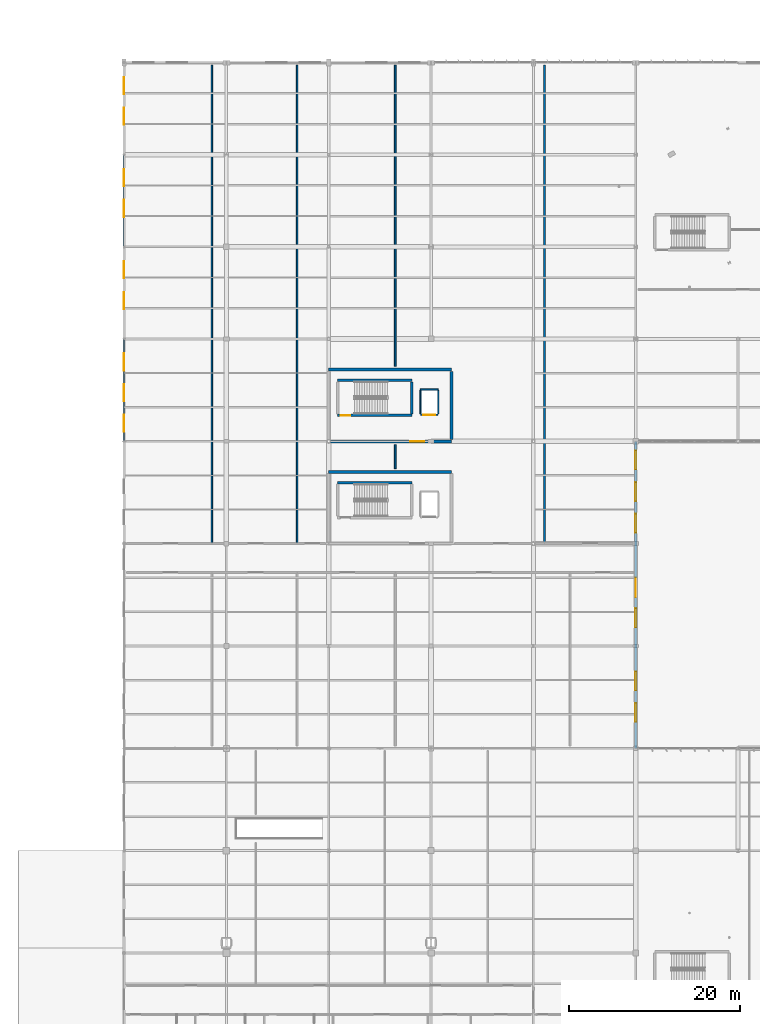
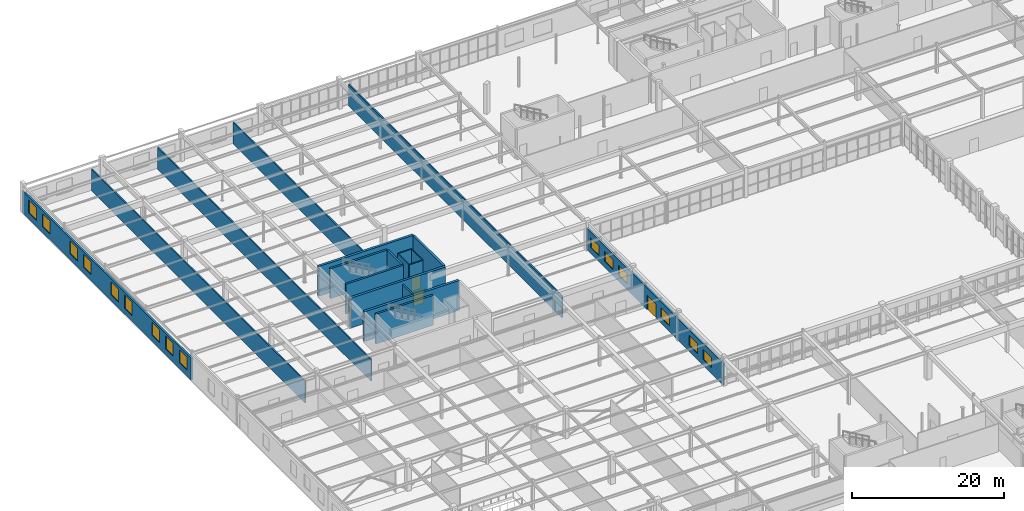
# One storey, part 164 of 199: 19 walls, 15 windows, 4 doors, 19 openings.
"""IFC4 building model written with IfcOpenShell, lengths in metres."""

from ifc_helpers import new_model, si_unit, direction, frame, frame_2d, origin, place, context, subcontext, project, spatial, rectangle, extrude, material, layer, layer_set, type_object, element, fill, save


model = new_model("IFC4")

# Units and contexts
model_context = context("Model", 3, precision=1e-05, world=origin(), true_north=direction((0.0, 1.0)))
body_context = subcontext(model_context, "Body", "Model", "MODEL_VIEW")
ifc_project = project(units=[si_unit("LENGTHUNIT", "METRE"), si_unit("AREAUNIT", "SQUARE_METRE"), si_unit("VOLUMEUNIT", "CUBIC_METRE"), si_unit("PLANEANGLEUNIT", "RADIAN"), si_unit("MASSUNIT", "GRAM", prefix="KILO")], contexts=[model_context])

# Site, building, storey
site_placement = place(None, origin())
site = spatial("IfcSite", under=ifc_project, at=site_placement, CompositionType="ELEMENT")
building_placement = place(site_placement, origin())
building = spatial("IfcBuilding", under=site, at=building_placement, Name="Tarnwether General Hospital", CompositionType="ELEMENT")
storey_placement = place(building_placement, origin())
storey = spatial("IfcBuildingStorey", under=building, at=storey_placement, Name="L00", CompositionType="ELEMENT", Elevation=0.0)

# Wall, openings, windows
ifc_material_1 = material(Name="Precast concrete 40 MPa", Category="concrete")
ifc_layer_1 = layer(ifc_material_1, 0.280029296875)
ifc_layer_set_1 = layer_set([ifc_layer_1], Name="Precast concrete 40 MPa")
wall_type_1 = type_object("IfcWallType", Name="WL-EX280", PredefinedType="STANDARD", material=ifc_layer_set_1)
wall_1_placement = place(storey_placement, frame((0.0, 81.60009765625, 0.0), z_axis=(0.0, 0.0, 1.0), x_axis=(0.0, 1.0, 0.0)))
wall_1 = element("IfcWall", 1, at=wall_1_placement, inside=storey, type_object=wall_type_1, Name="L00 West Scarp Overlook Wall EW-L00-0282", PredefinedType="STANDARD", context=body_context, shape_type="SweptSolid", body=[
    extrude(rectangle(XDim=44.39990234375, YDim=0.280029296875, at=frame_2d((22.199951171875, 0.0))), origin(), (0.0, 0.0, 1.0), 3.47998046875),
])
opening_1_placement = place(wall_1_placement, frame((1.10009765625, 0.0, 0.949951171875)))
opening_1 = element("IfcOpeningElement", 2, at=opening_1_placement, cuts=wall_1, Name="Opening W-14", PredefinedType="OPENING", context=body_context, shape_type="SweptSolid", body=[
    extrude(rectangle(XDim=2.0, YDim=2.10009765625, at=frame_2d((1.0, 1.050048828125))), frame((0.0, 0.14990234375, 0.0), z_axis=(0.0, -1.0, 0.0), x_axis=(1.0, 0.0, 0.0)), (0.0, 0.0, 1.0), 0.300048828125),
])
opening_2_placement = place(wall_1_placement, frame((4.699951171875, 0.0, 0.949951171875)))
opening_2 = element("IfcOpeningElement", 3, at=opening_2_placement, cuts=wall_1, Name="Opening W-14", PredefinedType="OPENING", context=body_context, shape_type="SweptSolid", body=[
    extrude(rectangle(XDim=2.0, YDim=2.10009765625, at=frame_2d((1.0, 1.050048828125))), frame((0.0, 0.14990234375, 0.0), z_axis=(0.0, -1.0, 0.0), x_axis=(1.0, 0.0, 0.0)), (0.0, 0.0, 1.0), 0.300048828125),
])
opening_3_placement = place(wall_1_placement, frame((8.300048828125, 0.0, 0.949951171875)))
opening_3 = element("IfcOpeningElement", 4, at=opening_3_placement, cuts=wall_1, Name="Opening W-14", PredefinedType="OPENING", context=body_context, shape_type="SweptSolid", body=[
    extrude(rectangle(XDim=2.0, YDim=2.10009765625, at=frame_2d((1.0, 1.050048828125))), frame((0.0, 0.14990234375, 0.0), z_axis=(0.0, -1.0, 0.0), x_axis=(1.0, 0.0, 0.0)), (0.0, 0.0, 1.0), 0.300048828125),
])
opening_4_placement = place(wall_1_placement, frame((15.5, 0.0, 0.949951171875)))
opening_4 = element("IfcOpeningElement", 5, at=opening_4_placement, cuts=wall_1, Name="Opening W-14", PredefinedType="OPENING", context=body_context, shape_type="SweptSolid", body=[
    extrude(rectangle(XDim=2.0, YDim=2.10009765625, at=frame_2d((1.0, 1.050048828125))), frame((0.0, 0.14990234375, 0.0), z_axis=(0.0, -1.0, 0.0), x_axis=(1.0, 0.0, 0.0)), (0.0, 0.0, 1.0), 0.300048828125),
])
opening_5_placement = place(wall_1_placement, frame((19.10009765625, 0.0, 0.949951171875)))
opening_5 = element("IfcOpeningElement", 6, at=opening_5_placement, cuts=wall_1, Name="Opening W-14", PredefinedType="OPENING", context=body_context, shape_type="SweptSolid", body=[
    extrude(rectangle(XDim=2.0, YDim=2.10009765625, at=frame_2d((1.0, 1.050048828125))), frame((0.0, 0.14990234375, 0.0), z_axis=(0.0, -1.0, 0.0), x_axis=(1.0, 0.0, 0.0)), (0.0, 0.0, 1.0), 0.300048828125),
])
opening_6_placement = place(wall_1_placement, frame((26.300048828125, 0.0, 0.949951171875)))
opening_6 = element("IfcOpeningElement", 7, at=opening_6_placement, cuts=wall_1, Name="Opening W-14", PredefinedType="OPENING", context=body_context, shape_type="SweptSolid", body=[
    extrude(rectangle(XDim=2.0, YDim=2.10009765625, at=frame_2d((1.0, 1.050048828125))), frame((0.0, 0.14990234375, 0.0), z_axis=(0.0, -1.0, 0.0), x_axis=(1.0, 0.0, 0.0)), (0.0, 0.0, 1.0), 0.300048828125),
])
opening_7_placement = place(wall_1_placement, frame((29.89990234375, 0.0, 0.949951171875)))
opening_7 = element("IfcOpeningElement", 8, at=opening_7_placement, cuts=wall_1, Name="Opening W-14", PredefinedType="OPENING", context=body_context, shape_type="SweptSolid", body=[
    extrude(rectangle(XDim=2.0, YDim=2.10009765625, at=frame_2d((1.0, 1.050048828125))), frame((0.0, 0.14990234375, 0.0), z_axis=(0.0, -1.0, 0.0), x_axis=(1.0, 0.0, 0.0)), (0.0, 0.0, 1.0), 0.300048828125),
])
opening_8_placement = place(wall_1_placement, frame((37.10009765625, 0.0, 0.949951171875)))
opening_8 = element("IfcOpeningElement", 9, at=opening_8_placement, cuts=wall_1, Name="Opening W-14", PredefinedType="OPENING", context=body_context, shape_type="SweptSolid", body=[
    extrude(rectangle(XDim=2.0, YDim=2.10009765625, at=frame_2d((1.0, 1.050048828125))), frame((0.0, 0.14990234375, 0.0), z_axis=(0.0, -1.0, 0.0), x_axis=(1.0, 0.0, 0.0)), (0.0, 0.0, 1.0), 0.300048828125),
])
opening_9_placement = place(wall_1_placement, frame((40.699951171875, 0.0, 0.949951171875)))
opening_9 = element("IfcOpeningElement", 10, at=opening_9_placement, cuts=wall_1, Name="Opening W-14", PredefinedType="OPENING", context=body_context, shape_type="SweptSolid", body=[
    extrude(rectangle(XDim=2.0, YDim=2.10009765625, at=frame_2d((1.0, 1.050048828125))), frame((0.0, 0.14990234375, 0.0), z_axis=(0.0, -1.0, 0.0), x_axis=(1.0, 0.0, 0.0)), (0.0, 0.0, 1.0), 0.300048828125),
])
ifc_material_2 = material(Name="Double glazed low-E glass", Category="glass")
window_type_1 = type_object("IfcWindowType", Name="WN-14", PartitioningType="DOUBLE_PANEL_VERTICAL", PredefinedType="WINDOW", material=ifc_material_2)
window_1_placement = place(opening_1_placement, origin())
window_1 = element("IfcWindow", 11, at=window_1_placement, inside=storey, type_object=window_type_1, Name="Window WN-L00-0025", OverallHeight=2.10009765625, OverallWidth=2.0, PartitioningType="DOUBLE_PANEL_VERTICAL", PredefinedType="WINDOW", context=body_context, shape_type="SweptSolid", body=[
    extrude(rectangle(XDim=2.0, YDim=2.10009765625, at=frame_2d((1.0, 1.050048828125))), frame((0.0, 0.030029296875, 0.0), z_axis=(0.0, -1.0, 0.0), x_axis=(1.0, 0.0, 0.0)), (0.0, 0.0, 1.0), 0.06005859375),
])
fill(opening_1, window_1)
window_2_placement = place(opening_2_placement, origin())
window_2 = element("IfcWindow", 12, at=window_2_placement, inside=storey, type_object=window_type_1, Name="Window WN-L00-0026", OverallHeight=2.10009765625, OverallWidth=2.0, PartitioningType="DOUBLE_PANEL_VERTICAL", PredefinedType="WINDOW", context=body_context, shape_type="SweptSolid", body=[
    extrude(rectangle(XDim=2.0, YDim=2.10009765625, at=frame_2d((1.0, 1.050048828125))), frame((0.0, 0.030029296875, 0.0), z_axis=(0.0, -1.0, 0.0), x_axis=(1.0, 0.0, 0.0)), (0.0, 0.0, 1.0), 0.06005859375),
])
fill(opening_2, window_2)
window_3_placement = place(opening_3_placement, origin())
window_3 = element("IfcWindow", 13, at=window_3_placement, inside=storey, type_object=window_type_1, Name="Window WN-L00-0027", OverallHeight=2.10009765625, OverallWidth=2.0, PartitioningType="DOUBLE_PANEL_VERTICAL", PredefinedType="WINDOW", context=body_context, shape_type="SweptSolid", body=[
    extrude(rectangle(XDim=2.0, YDim=2.10009765625, at=frame_2d((1.0, 1.050048828125))), frame((0.0, 0.030029296875, 0.0), z_axis=(0.0, -1.0, 0.0), x_axis=(1.0, 0.0, 0.0)), (0.0, 0.0, 1.0), 0.06005859375),
])
fill(opening_3, window_3)
window_4_placement = place(opening_4_placement, origin())
window_4 = element("IfcWindow", 14, at=window_4_placement, inside=storey, type_object=window_type_1, Name="Window WN-L00-0028", OverallHeight=2.10009765625, OverallWidth=2.0, PartitioningType="DOUBLE_PANEL_VERTICAL", PredefinedType="WINDOW", context=body_context, shape_type="SweptSolid", body=[
    extrude(rectangle(XDim=2.0, YDim=2.10009765625, at=frame_2d((1.0, 1.050048828125))), frame((0.0, 0.030029296875, 0.0), z_axis=(0.0, -1.0, 0.0), x_axis=(1.0, 0.0, 0.0)), (0.0, 0.0, 1.0), 0.06005859375),
])
fill(opening_4, window_4)
window_5_placement = place(opening_5_placement, origin())
window_5 = element("IfcWindow", 15, at=window_5_placement, inside=storey, type_object=window_type_1, Name="Window WN-L00-0029", OverallHeight=2.10009765625, OverallWidth=2.0, PartitioningType="DOUBLE_PANEL_VERTICAL", PredefinedType="WINDOW", context=body_context, shape_type="SweptSolid", body=[
    extrude(rectangle(XDim=2.0, YDim=2.10009765625, at=frame_2d((1.0, 1.050048828125))), frame((0.0, 0.030029296875, 0.0), z_axis=(0.0, -1.0, 0.0), x_axis=(1.0, 0.0, 0.0)), (0.0, 0.0, 1.0), 0.06005859375),
])
fill(opening_5, window_5)
window_6_placement = place(opening_6_placement, origin())
window_6 = element("IfcWindow", 16, at=window_6_placement, inside=storey, type_object=window_type_1, Name="Window WN-L00-0030", OverallHeight=2.10009765625, OverallWidth=2.0, PartitioningType="DOUBLE_PANEL_VERTICAL", PredefinedType="WINDOW", context=body_context, shape_type="SweptSolid", body=[
    extrude(rectangle(XDim=2.0, YDim=2.10009765625, at=frame_2d((1.0, 1.050048828125))), frame((0.0, 0.030029296875, 0.0), z_axis=(0.0, -1.0, 0.0), x_axis=(1.0, 0.0, 0.0)), (0.0, 0.0, 1.0), 0.06005859375),
])
fill(opening_6, window_6)
window_7_placement = place(opening_7_placement, origin())
window_7 = element("IfcWindow", 17, at=window_7_placement, inside=storey, type_object=window_type_1, Name="Window WN-L00-0031", OverallHeight=2.10009765625, OverallWidth=2.0, PartitioningType="DOUBLE_PANEL_VERTICAL", PredefinedType="WINDOW", context=body_context, shape_type="SweptSolid", body=[
    extrude(rectangle(XDim=2.0, YDim=2.10009765625, at=frame_2d((1.0, 1.050048828125))), frame((0.0, 0.030029296875, 0.0), z_axis=(0.0, -1.0, 0.0), x_axis=(1.0, 0.0, 0.0)), (0.0, 0.0, 1.0), 0.06005859375),
])
fill(opening_7, window_7)
window_8_placement = place(opening_8_placement, origin())
window_8 = element("IfcWindow", 18, at=window_8_placement, inside=storey, type_object=window_type_1, Name="Window WN-L00-0032", OverallHeight=2.10009765625, OverallWidth=2.0, PartitioningType="DOUBLE_PANEL_VERTICAL", PredefinedType="WINDOW", context=body_context, shape_type="SweptSolid", body=[
    extrude(rectangle(XDim=2.0, YDim=2.10009765625, at=frame_2d((1.0, 1.050048828125))), frame((0.0, 0.030029296875, 0.0), z_axis=(0.0, -1.0, 0.0), x_axis=(1.0, 0.0, 0.0)), (0.0, 0.0, 1.0), 0.06005859375),
])
fill(opening_8, window_8)
window_9_placement = place(opening_9_placement, origin())
window_9 = element("IfcWindow", 19, at=window_9_placement, inside=storey, type_object=window_type_1, Name="Window WN-L00-0033", OverallHeight=2.10009765625, OverallWidth=2.0, PartitioningType="DOUBLE_PANEL_VERTICAL", PredefinedType="WINDOW", context=body_context, shape_type="SweptSolid", body=[
    extrude(rectangle(XDim=2.0, YDim=2.10009765625, at=frame_2d((1.0, 1.050048828125))), frame((0.0, 0.030029296875, 0.0), z_axis=(0.0, -1.0, 0.0), x_axis=(1.0, 0.0, 0.0)), (0.0, 0.0, 1.0), 0.06005859375),
])
fill(opening_9, window_9)

# Wall, openings, door, windows
wall_2_placement = place(storey_placement, frame((60.0, 81.60009765625, 0.0), z_axis=(0.0, 0.0, 1.0), x_axis=(0.0, -1.0, 0.0)))
wall_2 = element("IfcWall", 20, at=wall_2_placement, inside=storey, type_object=wall_type_1, Name="L00 Healing Courtyard West Wall EW-L00-0305", PredefinedType="STANDARD", context=body_context, shape_type="SweptSolid", body=[
    extrude(rectangle(XDim=36.0, YDim=0.280029296875, at=frame_2d((18.0, 0.0))), origin(), (0.0, 0.0, 1.0), 3.47998046875),
])
opening_10_placement = place(wall_2_placement, frame((16.0, 0.0, 0.0)))
opening_10 = element("IfcOpeningElement", 21, at=opening_10_placement, cuts=wall_2, Name="Opening ED-02", PredefinedType="OPENING", context=body_context, shape_type="SweptSolid", body=[
    extrude(rectangle(XDim=2.300048828125, YDim=2.300048828125, at=frame_2d((1.14990234375, 1.14990234375))), frame((0.0, 0.14990234375, 0.0), z_axis=(0.0, -1.0, 0.0), x_axis=(1.0, 0.0, 0.0)), (0.0, 0.0, 1.0), 0.300048828125),
])
opening_11_placement = place(wall_2_placement, frame((1.10009765625, 0.0, 0.949951171875)))
opening_11 = element("IfcOpeningElement", 22, at=opening_11_placement, cuts=wall_2, Name="Opening W-24", PredefinedType="OPENING", context=body_context, shape_type="SweptSolid", body=[
    extrude(rectangle(XDim=2.199951171875, YDim=1.60009765625, at=frame_2d((1.10009765625, 0.800048828125))), frame((0.0, 0.14990234375, 0.0), z_axis=(0.0, -1.0, 0.0), x_axis=(1.0, 0.0, 0.0)), (0.0, 0.0, 1.0), 0.300048828125),
])
opening_12_placement = place(wall_2_placement, frame((4.800048828125, 0.0, 0.949951171875)))
opening_12 = element("IfcOpeningElement", 23, at=opening_12_placement, cuts=wall_2, Name="Opening W-24", PredefinedType="OPENING", context=body_context, shape_type="SweptSolid", body=[
    extrude(rectangle(XDim=2.199951171875, YDim=1.60009765625, at=frame_2d((1.10009765625, 0.800048828125))), frame((0.0, 0.14990234375, 0.0), z_axis=(0.0, -1.0, 0.0), x_axis=(1.0, 0.0, 0.0)), (0.0, 0.0, 1.0), 0.300048828125),
])
opening_13_placement = place(wall_2_placement, frame((8.5, 0.0, 0.949951171875)))
opening_13 = element("IfcOpeningElement", 24, at=opening_13_placement, cuts=wall_2, Name="Opening W-24", PredefinedType="OPENING", context=body_context, shape_type="SweptSolid", body=[
    extrude(rectangle(XDim=2.199951171875, YDim=1.60009765625, at=frame_2d((1.10009765625, 0.800048828125))), frame((0.0, 0.14990234375, 0.0), z_axis=(0.0, -1.0, 0.0), x_axis=(1.0, 0.0, 0.0)), (0.0, 0.0, 1.0), 0.300048828125),
])
opening_14_placement = place(wall_2_placement, frame((19.60009765625, 0.0, 0.949951171875)))
opening_14 = element("IfcOpeningElement", 25, at=opening_14_placement, cuts=wall_2, Name="Opening W-24", PredefinedType="OPENING", context=body_context, shape_type="SweptSolid", body=[
    extrude(rectangle(XDim=2.199951171875, YDim=1.60009765625, at=frame_2d((1.10009765625, 0.800048828125))), frame((0.0, 0.14990234375, 0.0), z_axis=(0.0, -1.0, 0.0), x_axis=(1.0, 0.0, 0.0)), (0.0, 0.0, 1.0), 0.300048828125),
])
opening_15_placement = place(wall_2_placement, frame((27.0, 0.0, 0.949951171875)))
opening_15 = element("IfcOpeningElement", 26, at=opening_15_placement, cuts=wall_2, Name="Opening W-24", PredefinedType="OPENING", context=body_context, shape_type="SweptSolid", body=[
    extrude(rectangle(XDim=2.199951171875, YDim=1.60009765625, at=frame_2d((1.10009765625, 0.800048828125))), frame((0.0, 0.14990234375, 0.0), z_axis=(0.0, -1.0, 0.0), x_axis=(1.0, 0.0, 0.0)), (0.0, 0.0, 1.0), 0.300048828125),
])
opening_16_placement = place(wall_2_placement, frame((30.699951171875, 0.0, 0.949951171875)))
opening_16 = element("IfcOpeningElement", 27, at=opening_16_placement, cuts=wall_2, Name="Opening W-24", PredefinedType="OPENING", context=body_context, shape_type="SweptSolid", body=[
    extrude(rectangle(XDim=2.199951171875, YDim=1.60009765625, at=frame_2d((1.10009765625, 0.800048828125))), frame((0.0, 0.14990234375, 0.0), z_axis=(0.0, -1.0, 0.0), x_axis=(1.0, 0.0, 0.0)), (0.0, 0.0, 1.0), 0.300048828125),
])
ifc_material_3 = material(Name="Anodised aluminium", Category="aluminium")
door_type_1 = type_object("IfcDoorType", Name="DR-EX02", OperationType="NOTDEFINED", PredefinedType="DOOR", material=ifc_material_3)
door_1_placement = place(opening_10_placement, origin())
door_1 = element("IfcDoor", 28, at=door_1_placement, inside=storey, type_object=door_type_1, Name="Healing Courtyard West Garden Door ED-L00-0036", OperationType="DOUBLE_DOOR_SINGLE_SWING", OverallHeight=2.300048828125, OverallWidth=2.300048828125, PredefinedType="DOOR", context=body_context, shape_type="SweptSolid", body=[
    extrude(rectangle(XDim=2.300048828125, YDim=2.300048828125, at=frame_2d((1.14990234375, 1.14990234375))), frame((0.0, 0.02490234375, 0.0), z_axis=(0.0, -1.0, 0.0), x_axis=(1.0, 0.0, 0.0)), (0.0, 0.0, 1.0), 0.050048828125),
])
fill(opening_10, door_1)
ifc_material_4 = material(Name="Double glazed low-E glass", Category="glass")
window_type_2 = type_object("IfcWindowType", Name="WN-24", PartitioningType="DOUBLE_PANEL_VERTICAL", PredefinedType="WINDOW", material=ifc_material_4)
window_10_placement = place(opening_11_placement, origin())
window_10 = element("IfcWindow", 29, at=window_10_placement, inside=storey, type_object=window_type_2, Name="Window WN-L00-0080", OverallHeight=1.60009765625, OverallWidth=2.199951171875, PartitioningType="DOUBLE_PANEL_VERTICAL", PredefinedType="WINDOW", context=body_context, shape_type="SweptSolid", body=[
    extrude(rectangle(XDim=2.199951171875, YDim=1.60009765625, at=frame_2d((1.10009765625, 0.800048828125))), frame((0.0, 0.030029296875, 0.0), z_axis=(0.0, -1.0, 0.0), x_axis=(1.0, 0.0, 0.0)), (0.0, 0.0, 1.0), 0.06005859375),
])
fill(opening_11, window_10)
window_11_placement = place(opening_12_placement, origin())
window_11 = element("IfcWindow", 30, at=window_11_placement, inside=storey, type_object=window_type_2, Name="Window WN-L00-0081", OverallHeight=1.60009765625, OverallWidth=2.199951171875, PartitioningType="DOUBLE_PANEL_VERTICAL", PredefinedType="WINDOW", context=body_context, shape_type="SweptSolid", body=[
    extrude(rectangle(XDim=2.199951171875, YDim=1.60009765625, at=frame_2d((1.10009765625, 0.800048828125))), frame((0.0, 0.030029296875, 0.0), z_axis=(0.0, -1.0, 0.0), x_axis=(1.0, 0.0, 0.0)), (0.0, 0.0, 1.0), 0.06005859375),
])
fill(opening_12, window_11)
window_12_placement = place(opening_13_placement, origin())
window_12 = element("IfcWindow", 31, at=window_12_placement, inside=storey, type_object=window_type_2, Name="Window WN-L00-0082", OverallHeight=1.60009765625, OverallWidth=2.199951171875, PartitioningType="DOUBLE_PANEL_VERTICAL", PredefinedType="WINDOW", context=body_context, shape_type="SweptSolid", body=[
    extrude(rectangle(XDim=2.199951171875, YDim=1.60009765625, at=frame_2d((1.10009765625, 0.800048828125))), frame((0.0, 0.030029296875, 0.0), z_axis=(0.0, -1.0, 0.0), x_axis=(1.0, 0.0, 0.0)), (0.0, 0.0, 1.0), 0.06005859375),
])
fill(opening_13, window_12)
window_13_placement = place(opening_14_placement, origin())
window_13 = element("IfcWindow", 32, at=window_13_placement, inside=storey, type_object=window_type_2, Name="Window WN-L00-0083", OverallHeight=1.60009765625, OverallWidth=2.199951171875, PartitioningType="DOUBLE_PANEL_VERTICAL", PredefinedType="WINDOW", context=body_context, shape_type="SweptSolid", body=[
    extrude(rectangle(XDim=2.199951171875, YDim=1.60009765625, at=frame_2d((1.10009765625, 0.800048828125))), frame((0.0, 0.030029296875, 0.0), z_axis=(0.0, -1.0, 0.0), x_axis=(1.0, 0.0, 0.0)), (0.0, 0.0, 1.0), 0.06005859375),
])
fill(opening_14, window_13)
window_14_placement = place(opening_15_placement, origin())
window_14 = element("IfcWindow", 33, at=window_14_placement, inside=storey, type_object=window_type_2, Name="Window WN-L00-0084", OverallHeight=1.60009765625, OverallWidth=2.199951171875, PartitioningType="DOUBLE_PANEL_VERTICAL", PredefinedType="WINDOW", context=body_context, shape_type="SweptSolid", body=[
    extrude(rectangle(XDim=2.199951171875, YDim=1.60009765625, at=frame_2d((1.10009765625, 0.800048828125))), frame((0.0, 0.030029296875, 0.0), z_axis=(0.0, -1.0, 0.0), x_axis=(1.0, 0.0, 0.0)), (0.0, 0.0, 1.0), 0.06005859375),
])
fill(opening_15, window_14)
window_15_placement = place(opening_16_placement, origin())
window_15 = element("IfcWindow", 34, at=window_15_placement, inside=storey, type_object=window_type_2, Name="Window WN-L00-0085", OverallHeight=1.60009765625, OverallWidth=2.199951171875, PartitioningType="DOUBLE_PANEL_VERTICAL", PredefinedType="WINDOW", context=body_context, shape_type="SweptSolid", body=[
    extrude(rectangle(XDim=2.199951171875, YDim=1.60009765625, at=frame_2d((1.10009765625, 0.800048828125))), frame((0.0, 0.030029296875, 0.0), z_axis=(0.0, -1.0, 0.0), x_axis=(1.0, 0.0, 0.0)), (0.0, 0.0, 1.0), 0.06005859375),
])
fill(opening_16, window_15)

# Wall, opening, door
ifc_material_5 = material(Name="Gypsum plasterboard")
ifc_layer_2 = layer(ifc_material_5, 0.159912109375)
ifc_layer_set_2 = layer_set([ifc_layer_2], Name="Gypsum plasterboard")
wall_type_2 = type_object("IfcWallType", Name="WL-PT160", PredefinedType="PARTITIONING", material=ifc_layer_set_2)
wall_3_placement = place(storey_placement, frame((34.760009765625, 84.7099609375, 0.0), z_axis=(0.0, 0.0, 1.0), x_axis=(1.0, 0.0, 0.0)))
wall_3 = element("IfcWall", 35, at=wall_3_placement, inside=storey, type_object=wall_type_2, Name="Lift L-08 Shaft Wall LSH-L-08-L00-S", PredefinedType="PARTITIONING", context=body_context, shape_type="SweptSolid", body=[
    extrude(rectangle(XDim=2.080078125, YDim=0.159912109375, at=frame_2d((1.0400390625, 0.0))), origin(), (0.0, 0.0, 1.0), 4.445068359375),
])
opening_17_placement = place(wall_3_placement, frame((0.340087890625, 0.0, 0.0)))
opening_17 = element("IfcOpeningElement", 36, at=opening_17_placement, cuts=wall_3, Name="Opening LD-01", PredefinedType="OPENING", context=body_context, shape_type="SweptSolid", body=[
    extrude(rectangle(XDim=1.39990234375, YDim=2.199951171875, at=frame_2d((0.699951171875, 1.10009765625))), frame((0.0, 0.08984375, 0.0), z_axis=(0.0, -1.0, 0.0), x_axis=(1.0, 0.0, 0.0)), (0.0, 0.0, 1.0), 0.179931640625),
])
ifc_material_6 = material(Name="Anodised aluminium", Category="aluminium")
door_type_2 = type_object("IfcDoorType", Name="DR-LD01", OperationType="NOTDEFINED", PredefinedType="DOOR", material=ifc_material_6)
door_2_placement = place(opening_17_placement, origin())
door_2 = element("IfcDoor", 37, at=door_2_placement, inside=storey, type_object=door_type_2, Name="Lift L-08 Sliding Landing Door L00", OperationType="SLIDING_TO_RIGHT", OverallHeight=2.199951171875, OverallWidth=1.39990234375, PredefinedType="DOOR", context=body_context, shape_type="SweptSolid", body=[
    extrude(rectangle(XDim=1.39990234375, YDim=2.199951171875, at=frame_2d((0.699951171875, 1.10009765625))), frame((0.0, 0.02490234375, 0.0), z_axis=(0.0, -1.0, 0.0), x_axis=(1.0, 0.0, 0.0)), (0.0, 0.0, 1.0), 0.050048828125),
])
fill(opening_17, door_2)

# Walls
wall_4_placement = place(storey_placement, frame((36.840087890625, 87.68994140625, 0.0), z_axis=(0.0, 0.0, 1.0), x_axis=(-1.0, 0.0, 0.0)))
element("IfcWall", 38, at=wall_4_placement, inside=storey, type_object=wall_type_2, Name="Lift L-08 Shaft Wall LSH-L-08-L00-N", PredefinedType="PARTITIONING", context=body_context, shape_type="SweptSolid", body=[
    extrude(rectangle(XDim=2.080078125, YDim=0.159912109375, at=frame_2d((1.0400390625, 0.0))), origin(), (0.0, 0.0, 1.0), 4.445068359375),
])
for number, where, z_axis, x_axis, name in (
    (39, (34.760009765625, 87.590087890625, 0.0), (0.0, 0.0, 1.0), (0.0, -1.0, 0.0), "Lift L-08 Shaft Wall LSH-L-08-L00-W"),
    (40, (36.840087890625, 84.81005859375, 0.0), (0.0, 0.0, 1.0), (0.0, 1.0, 0.0), "Lift L-08 Shaft Wall LSH-L-08-L00-E"),
):
    element("IfcWall", number, at=place(storey_placement, frame(where, z_axis=z_axis, x_axis=x_axis)), inside=storey, type_object=wall_type_2, Name=name, PredefinedType="PARTITIONING", context=body_context, shape_type="SweptSolid", body=[
        extrude(rectangle(XDim=2.780029296875, YDim=0.159912109375, at=frame_2d((1.39013671875, 0.0))), origin(), (0.0, 0.0, 1.0), 4.445068359375),
    ])
ifc_material_7 = material(Name="Gypsum plasterboard")
ifc_layer_3 = layer(ifc_material_7, 0.179931640625)
ifc_layer_set_3 = layer_set([ifc_layer_3], Name="Gypsum plasterboard")
wall_type_3 = type_object("IfcWallType", Name="WL-PT180", PredefinedType="PARTITIONING", material=ifc_layer_set_3)
for number, where, z_axis, x_axis, name in (
    (41, (10.300048828125, 69.60009765625, 0.0), (0.0, 0.0, 1.0), (0.0, 1.0, 0.0), "Interior Partition PT-L00-0098"),
    (42, (20.300048828125, 69.60009765625, 0.0), (0.0, 0.0, 1.0), (0.0, 1.0, 0.0), "Interior Partition PT-L00-0100"),
):
    element("IfcWall", number, at=place(storey_placement, frame(where, z_axis=z_axis, x_axis=x_axis)), inside=storey, type_object=wall_type_3, Name=name, PredefinedType="PARTITIONING", context=body_context, shape_type="SweptSolid", body=[
        extrude(rectangle(XDim=56.099853515625, YDim=0.179931640625, at=frame_2d((28.0498046875, 0.0))), origin(), (0.0, 0.0, 1.0), 3.47998046875),
    ])
wall_5_placement = place(storey_placement, frame((31.800048828125, 78.39990234375, 0.0), z_axis=(0.0, 0.0, 1.0), x_axis=(0.0, 1.0, 0.0)))
element("IfcWall", 43, at=wall_5_placement, inside=storey, type_object=wall_type_3, Name="Interior Partition PT-L00-0102", PredefinedType="PARTITIONING", context=body_context, shape_type="SweptSolid", body=[
    extrude(rectangle(XDim=2.800048828125, YDim=0.179931640625, at=frame_2d((1.39990234375, 0.0))), origin(), (0.0, 0.0, 1.0), 4.445068359375),
])
wall_6_placement = place(storey_placement, frame((31.800048828125, 90.39990234375, 0.0), z_axis=(0.0, 0.0, 1.0), x_axis=(0.0, 1.0, 0.0)))
element("IfcWall", 44, at=wall_6_placement, inside=storey, type_object=wall_type_3, Name="Interior Partition PT-L00-0103", PredefinedType="PARTITIONING", context=body_context, shape_type="SweptSolid", body=[
    extrude(rectangle(XDim=35.300048828125, YDim=0.179931640625, at=frame_2d((17.64990234375, 0.0))), origin(), (0.0, 0.0, 1.0), 3.47998046875),
])
wall_7_placement = place(storey_placement, frame((49.300048828125, 69.60009765625, 0.0), z_axis=(0.0, 0.0, 1.0), x_axis=(0.0, 1.0, 0.0)))
element("IfcWall", 45, at=wall_7_placement, inside=storey, type_object=wall_type_3, Name="Interior Partition PT-L00-0105", PredefinedType="PARTITIONING", context=body_context, shape_type="SweptSolid", body=[
    extrude(rectangle(XDim=56.099853515625, YDim=0.179931640625, at=frame_2d((28.0498046875, 0.0))), origin(), (0.0, 0.0, 1.0), 3.47998046875),
])
ifc_material_8 = material(Name="Concrete 50 MPa", Category="concrete")
ifc_layer_4 = layer(ifc_material_8, 0.300048828125)
ifc_layer_set_4 = layer_set([ifc_layer_4], Name="Concrete 50 MPa")
wall_type_4 = type_object("IfcWallType", Name="WL-SW300", PredefinedType="SHEAR", material=ifc_layer_set_4)
wall_8_placement = place(storey_placement, frame((38.39990234375, 89.800048828125, 0.0), z_axis=(0.0, 0.0, 1.0), x_axis=(0.0, -1.0, 0.0)))
element("IfcWall", 46, at=wall_8_placement, inside=storey, type_object=wall_type_4, Name="Core Shear Wall CWALL-K4-L00-E", PredefinedType="SHEAR", context=body_context, shape_type="SweptSolid", body=[
    extrude(rectangle(XDim=8.0, YDim=0.300048828125, at=frame_2d((4.0, 0.0))), origin(), (0.0, 0.0, 1.0), 4.800048828125),
])
wall_9_placement = place(storey_placement, frame((33.75, 76.75, 0.0), z_axis=(0.0, 0.0, 1.0), x_axis=(-1.0, 0.0, 0.0)))
element("IfcWall", 47, at=wall_9_placement, inside=storey, type_object=wall_type_4, Name="Stairwell Shear Wall STW-ST-03-L00-N", PredefinedType="SHEAR", context=body_context, shape_type="SweptSolid", body=[
    extrude(rectangle(XDim=8.699951171875, YDim=0.300048828125, at=frame_2d((4.35009765625, 0.0))), origin(), (0.0, 0.0, 1.0), 4.800048828125),
])

# Wall, opening, door
wall_10_placement = place(storey_placement, frame((25.050048828125, 84.64990234375, 0.0), z_axis=(0.0, 0.0, 1.0), x_axis=(1.0, 0.0, 0.0)))
wall_10 = element("IfcWall", 48, at=wall_10_placement, inside=storey, type_object=wall_type_4, Name="Stairwell Shear Wall STW-ST-04-L00-B", PredefinedType="SHEAR", context=body_context, shape_type="SweptSolid", body=[
    extrude(rectangle(XDim=8.699951171875, YDim=0.300048828125, at=frame_2d((4.35009765625, 0.0))), origin(), (0.0, 0.0, 1.0), 4.800048828125),
])
opening_18_placement = place(wall_10_placement, frame((0.35009765625, 0.0, 0.0)))
opening_18 = element("IfcOpeningElement", 49, at=opening_18_placement, cuts=wall_10, Name="Opening FD-06", PredefinedType="OPENING", context=body_context, shape_type="SweptSolid", body=[
    extrude(rectangle(XDim=1.10009765625, YDim=2.14990234375, at=frame_2d((0.550048828125, 1.074951171875))), frame((0.0, 0.16015625, 0.0), z_axis=(0.0, -1.0, 0.0), x_axis=(1.0, 0.0, 0.0)), (0.0, 0.0, 1.0), 0.320068359375),
])
ifc_material_9 = material(Name="Anodised aluminium", Category="aluminium")
door_type_3 = type_object("IfcDoorType", Name="DR-FD06", OperationType="NOTDEFINED", PredefinedType="DOOR", material=ifc_material_9)
door_3_placement = place(opening_18_placement, origin())
door_3 = element("IfcDoor", 50, at=door_3_placement, inside=storey, type_object=door_type_3, Name="Stairwell ST-04 Safe-Path Fire Door L00", OperationType="SINGLE_SWING_RIGHT", OverallHeight=2.14990234375, OverallWidth=1.10009765625, PredefinedType="DOOR", context=body_context, shape_type="SweptSolid", body=[
    extrude(rectangle(XDim=1.10009765625, YDim=2.14990234375, at=frame_2d((0.550048828125, 1.074951171875))), frame((0.0, 0.02490234375, 0.0), z_axis=(0.0, -1.0, 0.0), x_axis=(1.0, 0.0, 0.0)), (0.0, 0.0, 1.0), 0.050048828125),
])
fill(opening_18, door_3)

# Walls
wall_11_placement = place(storey_placement, frame((33.75, 88.75, 0.0), z_axis=(0.0, 0.0, 1.0), x_axis=(-1.0, 0.0, 0.0)))
element("IfcWall", 51, at=wall_11_placement, inside=storey, type_object=wall_type_4, Name="Stairwell Shear Wall STW-ST-04-L00-N", PredefinedType="SHEAR", context=body_context, shape_type="SweptSolid", body=[
    extrude(rectangle(XDim=8.699951171875, YDim=0.300048828125, at=frame_2d((4.35009765625, 0.0))), origin(), (0.0, 0.0, 1.0), 4.800048828125),
])
wall_12_placement = place(storey_placement, frame((33.75, 84.820068359375, 0.0), z_axis=(0.0, 0.0, 1.0), x_axis=(0.0, 1.0, 0.0)))
element("IfcWall", 52, at=wall_12_placement, inside=storey, type_object=wall_type_4, Name="Stairwell Shear Wall STW-ST-04-L00-F", PredefinedType="SHEAR", context=body_context, shape_type="SweptSolid", body=[
    extrude(rectangle(XDim=3.760009765625, YDim=0.300048828125, at=frame_2d((1.8798828125, 0.0))), origin(), (0.0, 0.0, 1.0), 4.800048828125),
])
ifc_material_10 = material(Name="Concrete 50 MPa", Category="concrete")
ifc_layer_5 = layer(ifc_material_10, 0.35009765625)
ifc_layer_set_5 = layer_set([ifc_layer_5], Name="Concrete 50 MPa")
wall_type_5 = type_object("IfcWallType", Name="WL-SW350", PredefinedType="SHEAR", material=ifc_layer_set_5)
for number, where, z_axis, x_axis, name in (
    (53, (24.0, 78.0, 0.0), (0.0, 0.0, 1.0), (1.0, 0.0, 0.0), "Core Shear Wall CWALL-K3-L00-N"),
    (54, (24.0, 90.0, 0.0), (0.0, 0.0, 1.0), (1.0, 0.0, 0.0), "Core Shear Wall CWALL-K4-L00-N"),
):
    element("IfcWall", number, at=place(storey_placement, frame(where, z_axis=z_axis, x_axis=x_axis)), inside=storey, type_object=wall_type_5, Name=name, PredefinedType="SHEAR", context=body_context, shape_type="SweptSolid", body=[
        extrude(rectangle(XDim=14.39990234375, YDim=0.35009765625, at=frame_2d((7.199951171875, 0.0))), origin(), (0.0, 0.0, 1.0), 4.800048828125),
    ])

# Wall, opening, door
wall_13_placement = place(storey_placement, frame((38.39990234375, 81.60009765625, 0.0), z_axis=(0.0, 0.0, 1.0), x_axis=(-1.0, 0.0, 0.0)))
wall_13 = element("IfcWall", 55, at=wall_13_placement, inside=storey, type_object=wall_type_5, Name="Core Shear Wall CWALL-K4-L00-S", PredefinedType="SHEAR", context=body_context, shape_type="SweptSolid", body=[
    extrude(rectangle(XDim=14.39990234375, YDim=0.35009765625, at=frame_2d((7.199951171875, 0.0))), origin(), (0.0, 0.0, 1.0), 4.800048828125),
])
opening_19_placement = place(wall_13_placement, frame((3.172119140625, 0.0, 0.0)))
opening_19 = element("IfcOpeningElement", 56, at=opening_19_placement, cuts=wall_13, Name="Opening FD-01", PredefinedType="OPENING", context=body_context, shape_type="SweptSolid", body=[
    extrude(rectangle(XDim=1.639892578125, YDim=2.199951171875, at=frame_2d((0.81982421875, 1.10009765625))), frame((0.0, 0.18505859375, 0.0), z_axis=(0.0, -1.0, 0.0), x_axis=(1.0, 0.0, 0.0)), (0.0, 0.0, 1.0), 0.3701171875),
])
ifc_material_11 = material(Name="Anodised aluminium", Category="aluminium")
door_type_4 = type_object("IfcDoorType", Name="DR-FD01", OperationType="NOTDEFINED", PredefinedType="DOOR", material=ifc_material_11)
door_4_placement = place(opening_19_placement, origin())
door_4 = element("IfcDoor", 57, at=door_4_placement, inside=storey, type_object=door_type_4, Name="Core K4 Lobby Fire Door L00", OperationType="DOUBLE_DOOR_SINGLE_SWING", OverallHeight=2.199951171875, OverallWidth=1.639892578125, PredefinedType="DOOR", context=body_context, shape_type="SweptSolid", body=[
    extrude(rectangle(XDim=1.639892578125, YDim=2.199951171875, at=frame_2d((0.81982421875, 1.10009765625))), frame((0.0, 0.02490234375, 0.0), z_axis=(0.0, -1.0, 0.0), x_axis=(1.0, 0.0, 0.0)), (0.0, 0.0, 1.0), 0.050048828125),
])
fill(opening_19, door_4)

save(model, "model.ifc")
